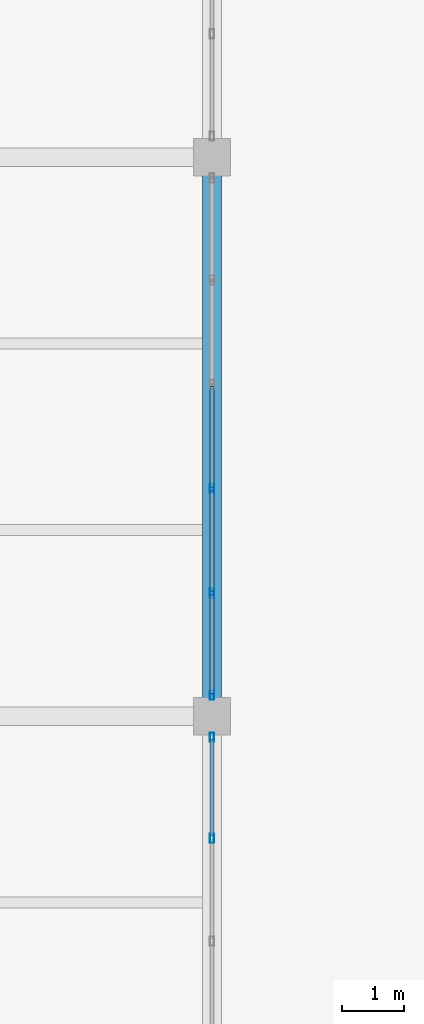
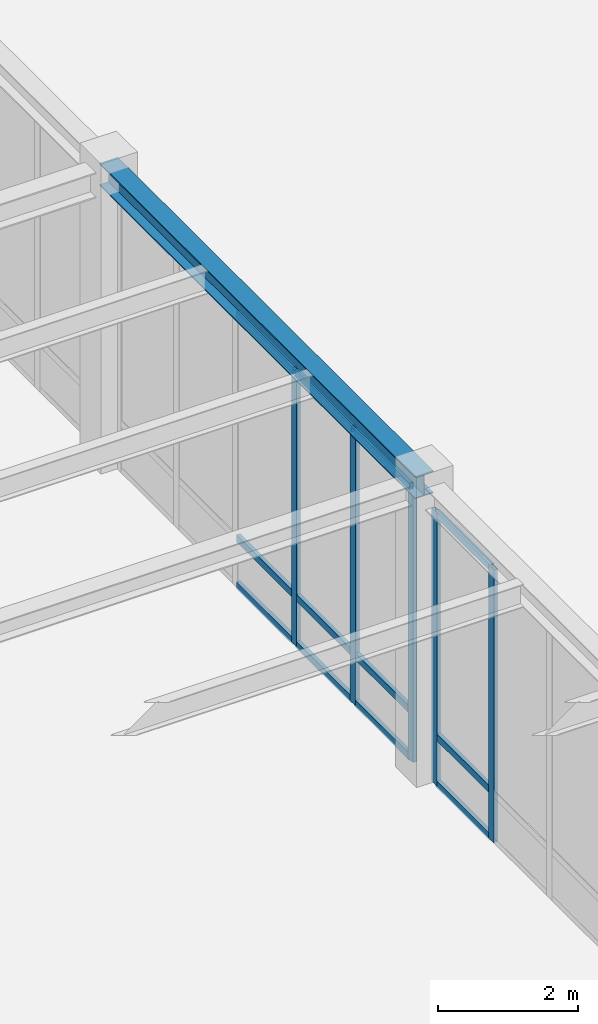
# One storey, part 35 of 77: 17 members, 1 beam, 2 elements without a shape of their own.
"""IFC4 building model written with IfcOpenShell, lengths in metres."""

import ifcopenshell
import ifcopenshell.guid

model = None  # the IFC model being written
_history = None  # IfcOwnerHistory: only IFC2X3 demands one
_inside = {}  # id of a spatial element -> (the spatial element, [elements in it])
_under = {}  # id of a project, library or spatial element -> (it, [spatial elements below it])
_declared = {}  # id of a project -> (the project, [libraries it declares])
_typed = {}  # id of a type object -> (the type object, [elements of that type])
_made_of = {}  # id of a material, layer set ... -> (it, [elements and type objects made of it])


def new_model(schema):
    """Start an empty IFC model of exactly this schema.

    Asked for "IFC4X3", IfcOpenShell would pick the latest addendum, in which some entities
    have other attributes; the version numbers below select the first issue.
    IFC2X3 requires an IfcOwnerHistory on every rooted entity: one is made here for all.
    """
    global model, _history
    if schema == "IFC4X3":
        model = ifcopenshell.file(schema_version=(4, 3, 0, 0))
    else:
        model = ifcopenshell.file(schema=schema)
    _inside.clear()
    _under.clear()
    _declared.clear()
    _typed.clear()
    _made_of.clear()
    _history = None
    if model.schema == "IFC2X3":
        org = make("IfcOrganization", Name="unknown")
        user = make(
            "IfcPersonAndOrganization",
            ThePerson=make("IfcPerson", FamilyName="unknown"),
            TheOrganization=org,
        )
        app = make(
            "IfcApplication",
            ApplicationDeveloper=org,
            Version="unknown",
            ApplicationFullName="unknown",
            ApplicationIdentifier="unknown",
        )
        _history = make(
            "IfcOwnerHistory",
            OwningUser=user,
            OwningApplication=app,
            ChangeAction="ADDED",
            CreationDate=0,
        )
    return model


def make(cls, **values):
    """One entity of the class cls with the attributes given. An attribute that is None is left unset."""
    return model.create_entity(
        cls, **{name: value for name, value in values.items() if value is not None}
    )


def rooted(cls, **values):
    """An entity with a GlobalId (a new one), such as an element, a storey or a relation."""
    return make(cls, GlobalId=ifcopenshell.guid.new(), OwnerHistory=_history, **values)


def si_unit(unit_type, name, prefix=None):
    """IfcSIUnit, for example si_unit("LENGTHUNIT", "METRE", prefix="MILLI")."""
    return make("IfcSIUnit", UnitType=unit_type, Prefix=prefix, Name=name)


def assignment(units):
    """IfcUnitAssignment: the units of a project."""
    return None if units is None else make("IfcUnitAssignment", Units=units)


def point(xyz):
    """IfcCartesianPoint."""
    return None if xyz is None else make("IfcCartesianPoint", Coordinates=xyz)


def direction(xyz):
    """IfcDirection."""
    return None if xyz is None else make("IfcDirection", DirectionRatios=xyz)


def frame(location, z_axis=None, x_axis=None):
    """IfcAxis2Placement3D, a coordinate frame: its origin and axes. An axis left out is left unset."""
    return make(
        "IfcAxis2Placement3D",
        Location=point(location),
        Axis=direction(z_axis),
        RefDirection=direction(x_axis),
    )


def frame_2d(location, x_axis=None):
    """IfcAxis2Placement2D, a coordinate frame in the plane: its origin and x axis."""
    return make(
        "IfcAxis2Placement2D", Location=point(location), RefDirection=direction(x_axis)
    )


def origin():
    """The frame at (0, 0, 0) with its axes left unset."""
    return frame((0.0, 0.0, 0.0))


def origin_2d():
    """The frame at (0, 0) in the plane with its x axis left unset."""
    return frame_2d((0.0, 0.0))


def place(relative_to, where):
    """IfcLocalPlacement: puts the frame where relative to a parent placement (None: the world)."""
    return make(
        "IfcLocalPlacement", PlacementRelTo=relative_to, RelativePlacement=where
    )


def context(
    kind, dimensions, precision=None, world=None, true_north=None, identifier=None
):
    """IfcGeometricRepresentationContext, for example the 3D "Model" context."""
    return make(
        "IfcGeometricRepresentationContext",
        ContextIdentifier=identifier,
        ContextType=kind,
        CoordinateSpaceDimension=dimensions,
        Precision=precision,
        WorldCoordinateSystem=world,
        TrueNorth=true_north,
    )


def subcontext(parent, identifier, kind, view, scale=None):
    """IfcGeometricRepresentationSubContext, for example "Body" below "Model"."""
    return make(
        "IfcGeometricRepresentationSubContext",
        ContextIdentifier=identifier,
        ContextType=kind,
        ParentContext=parent,
        TargetScale=scale,
        TargetView=view,
    )


def project(units=None, contexts=None):
    """IfcProject with its units and contexts."""
    return rooted(
        "IfcProject",
        Name="project",
        RepresentationContexts=contexts,
        UnitsInContext=assignment(units),
    )


def spatial(cls, under=None, at=None, **own):
    """A site, building, storey or space (cls), placed at a placement, below another one or the project."""
    s = rooted(cls, ObjectPlacement=at, **own)
    if under is not None:
        _under.setdefault(under.id(), (under, []))[1].append(s)
    return s


def profile(cls, at=None, kind="AREA", **sizes):
    """A parametric profile (cls). Its sizes go by their IFC names, for example OverallWidth=200.0."""
    return make(cls, ProfileType=kind, Position=at, **sizes)


def hollow_rectangle(**sizes):
    """IfcRectangleHollowProfileDef."""
    return profile("IfcRectangleHollowProfileDef", **sizes)


def i_section(**sizes):
    """IfcIShapeProfileDef."""
    return profile("IfcIShapeProfileDef", **sizes)


def extrude(swept, where, along, depth):
    """IfcExtrudedAreaSolid: the profile swept, set in the frame where, extruded along a direction by depth."""
    return make(
        "IfcExtrudedAreaSolid",
        SweptArea=swept,
        Position=where,
        ExtrudedDirection=direction(along),
        Depth=depth,
    )


def shape(context_of_items, identifier, shape_type, items):
    """IfcShapeRepresentation: the items that make up one representation, for example the "Body"."""
    return make(
        "IfcShapeRepresentation",
        ContextOfItems=context_of_items,
        RepresentationIdentifier=identifier,
        RepresentationType=shape_type,
        Items=items,
    )


def material(Name=None, Category=None):
    """IfcMaterial."""
    return make("IfcMaterial", Name=Name, Category=Category)


def material_profile(
    of_material, cross_section, Name=None, Category=None, Priority=None
):
    """IfcMaterialProfile: a cross section and its material."""
    return make(
        "IfcMaterialProfile",
        Name=Name,
        Material=of_material,
        Profile=cross_section,
        Priority=Priority,
        Category=Category,
    )


def profile_set(profiles, Name=None, composite=None):
    """IfcMaterialProfileSet."""
    return make(
        "IfcMaterialProfileSet",
        Name=Name,
        MaterialProfiles=profiles,
        CompositeProfile=composite,
    )


def made_of(thing, what):
    """Note that an element or type object is made of a material, layer set ...; save() writes the relation."""
    if what is not None:
        _made_of.setdefault(what.id(), (what, []))[1].append(thing)
    return thing


def type_object(cls, material=None, **own):
    """A type object (cls), such as IfcWallType, which elements share."""
    return made_of(rooted(cls, **own), material)


def element(
    cls,
    number,
    at=None,
    inside=None,
    cuts=None,
    type_object=None,
    material=None,
    context=None,
    identifier="Body",
    shape_type=None,
    held_by="IfcProductDefinitionShape",
    body=None,
    shapes=None,
    **own,
):
    """One element of the class cls, such as IfcWall. Its Tag is "e" and its number.

    at: its placement. inside: the storey or other place that contains it. cuts: it is an
    opening in that element (IfcRelVoidsElement). A single representation is given by context,
    identifier, shape_type and body (its items); several are given by shapes. held_by: the class
    of the entity that holds the representations. save() writes the other relations.
    """
    e = rooted(cls, Tag="e%d" % number, ObjectPlacement=at, **own)
    if body is not None:
        shapes = [shape(context, identifier, shape_type, body)]
    if shapes is not None:
        e.Representation = make(held_by, Representations=shapes)
    if inside is not None:
        _inside.setdefault(inside.id(), (inside, []))[1].append(e)
    if cuts is not None:
        rooted(
            "IfcRelVoidsElement", RelatingBuildingElement=cuts, RelatedOpeningElement=e
        )
    if type_object is not None:
        _typed.setdefault(type_object.id(), (type_object, []))[1].append(e)
    return made_of(e, material)


def aggregate(whole, parts):
    """IfcRelAggregates: a whole, such as a stair, and the parts it consists of."""
    return rooted("IfcRelAggregates", RelatingObject=whole, RelatedObjects=parts)


def save(model, path):
    """Write the relations noted so far, then the file.

    IfcRelAggregates (storeys below a building ...), IfcRelContainedInSpatialStructure (elements
    in a storey), IfcRelDefinesByType, IfcRelAssociatesMaterial and IfcRelDeclares: one each for
    every whole, place, type object, material and project.
    """
    for whole, parts in _under.values():
        aggregate(whole, parts)
    for where, things in _inside.values():
        rooted(
            "IfcRelContainedInSpatialStructure",
            RelatedElements=things,
            RelatingStructure=where,
        )
    for kind, things in _typed.values():
        rooted("IfcRelDefinesByType", RelatedObjects=things, RelatingType=kind)
    for what, things in _made_of.values():
        rooted("IfcRelAssociatesMaterial", RelatedObjects=things, RelatingMaterial=what)
    for by, libraries in _declared.values():
        rooted("IfcRelDeclares", RelatingContext=by, RelatedDefinitions=libraries)
    model.write(path)


model = new_model("IFC4")

# Units and contexts
model_context = context("Model", 3, precision=1e-05, world=origin(), true_north=direction((0.0, 1.0)))
body_context = subcontext(model_context, "Body", "Model", "MODEL_VIEW")
ifc_project = project(units=[si_unit("LENGTHUNIT", "METRE"), si_unit("AREAUNIT", "SQUARE_METRE"), si_unit("VOLUMEUNIT", "CUBIC_METRE"), si_unit("PLANEANGLEUNIT", "RADIAN"), si_unit("MASSUNIT", "GRAM", prefix="KILO")], contexts=[model_context])

# Site, building, storey
site_placement = place(None, origin())
site = spatial("IfcSite", under=ifc_project, at=site_placement, CompositionType="ELEMENT")
building_placement = place(site_placement, origin())
building = spatial("IfcBuilding", under=site, at=building_placement, Name="Lykobir Media Centre", CompositionType="ELEMENT")
storey_placement = place(building_placement, origin())
storey = spatial("IfcBuildingStorey", under=building, at=storey_placement, Name="L00", CompositionType="ELEMENT", Elevation=0.0)

# Beam
ifc_material_1 = material(Name="Steel S355", Category="steel")
ifc_material_profile_1 = material_profile(ifc_material_1, i_section(OverallWidth=0.300048828125, OverallDepth=0.389892578125, WebThickness=0.010986328125, FlangeThickness=0.01904296875, at=origin_2d()), Name="HEA 400")
ifc_profile_set_1 = profile_set([ifc_material_profile_1], Name="Steel S355")
beam_type = type_object("IfcBeamType", Name="BM-HEA400", PredefinedType="BEAM", material=ifc_profile_set_1)
beam_placement = place(storey_placement, frame((108.0, 27.0, 4.985107421875), z_axis=(0.0, 1.0, 0.0), x_axis=(-1.0, 0.0, 0.0)))
element("IfcBeam", 1, at=beam_placement, inside=storey, type_object=beam_type, Name="Beam BM-L00-1080-0270-1080-0360-499", PredefinedType="BEAM", context=body_context, shape_type="SweptSolid", body=[
    extrude(i_section(OverallWidth=0.300048828125, OverallDepth=0.389892578125, WebThickness=0.010986328125, FlangeThickness=0.01904296875, at=origin_2d()), origin(), (0.0, 0.0, 1.0), 9.0),
])

# Curtain wall, members
ifc_material_2 = material(Name="Anodized Aluminium AW-6060", Category="aluminium")
curtain_wall_type = type_object("IfcCurtainWallType", Name="CW-COURT-A", PredefinedType="NOTDEFINED", material=ifc_material_2)
curtain_wall_1_placement = place(storey_placement, origin())
curtain_wall_1 = element("IfcCurtainWall", 2, at=curtain_wall_1_placement, inside=storey, type_object=curtain_wall_type, Name="Curtain wall CW2-L00-0003", PredefinedType="NOTDEFINED")
ifc_material_profile_2 = material_profile(ifc_material_2, hollow_rectangle(XDim=0.06494140625, YDim=0.14990234375, WallThickness=0.00341796875, at=origin_2d()), Name="ALU MULLION 65x150")
ifc_profile_set_2 = profile_set([ifc_material_profile_2], Name="Anodized Aluminium AW-6060")
member_type_1 = type_object("IfcMemberType", Name="CWM-150", PredefinedType="MULLION", material=ifc_profile_set_2)
member_1_placement = place(storey_placement, frame((108.0, 26.66259765625, 0.0), z_axis=(0.0, 0.0, 1.0), x_axis=(1.0, 0.0, 0.0)))
member_1 = element("IfcMember", 3, at=member_1_placement, type_object=member_type_1, Name="CW2-L00-0003 mullion 1", PredefinedType="MULLION", context=body_context, shape_type="SweptSolid", body=[
    extrude(hollow_rectangle(XDim=0.06494140625, YDim=0.14990234375, WallThickness=0.00341796875, at=origin_2d()), origin(), (0.0, 0.0, 1.0), 4.7529296875),
])
member_2_placement = place(storey_placement, frame((108.0, 25.037109375, 0.0), z_axis=(0.0, 0.0, 1.0), x_axis=(1.0, 0.0, 0.0)))
member_2 = element("IfcMember", 4, at=member_2_placement, type_object=member_type_1, Name="CW2-L00-0003 mullion 2", PredefinedType="MULLION", context=body_context, shape_type="SweptSolid", body=[
    extrude(hollow_rectangle(XDim=0.06494140625, YDim=0.14990234375, WallThickness=0.00341796875, at=origin_2d()), origin(), (0.0, 0.0, 1.0), 4.7529296875),
])

curtain_wall_2_placement = place(storey_placement, origin())
curtain_wall_2 = element("IfcCurtainWall", 5, at=curtain_wall_2_placement, inside=storey, type_object=curtain_wall_type, Name="Curtain wall CW2-L00-0004", PredefinedType="NOTDEFINED")
member_3_placement = place(storey_placement, frame((108.0, 30.660888671875, 0.0), z_axis=(0.0, 0.0, 1.0), x_axis=(1.0, 0.0, 0.0)))
member_3 = element("IfcMember", 6, at=member_3_placement, type_object=member_type_1, Name="CW2-L00-0004 mullion 4", PredefinedType="MULLION", context=body_context, shape_type="SweptSolid", body=[
    extrude(hollow_rectangle(XDim=0.06494140625, YDim=0.14990234375, WallThickness=0.00341796875, at=origin_2d()), origin(), (0.0, 0.0, 1.0), 4.77490234375),
])
member_4_placement = place(storey_placement, frame((108.0, 28.98291015625, 0.0), z_axis=(0.0, 0.0, 1.0), x_axis=(1.0, 0.0, 0.0)))
member_4 = element("IfcMember", 7, at=member_4_placement, type_object=member_type_1, Name="CW2-L00-0004 mullion 5", PredefinedType="MULLION", context=body_context, shape_type="SweptSolid", body=[
    extrude(hollow_rectangle(XDim=0.06494140625, YDim=0.14990234375, WallThickness=0.00341796875, at=origin_2d()), origin(), (0.0, 0.0, 1.0), 4.77490234375),
])
member_5_placement = place(storey_placement, frame((108.0, 27.33740234375, 0.0), z_axis=(0.0, 0.0, 1.0), x_axis=(1.0, 0.0, 0.0)))
member_5 = element("IfcMember", 8, at=member_5_placement, type_object=member_type_1, Name="CW2-L00-0004 mullion 6", PredefinedType="MULLION", context=body_context, shape_type="SweptSolid", body=[
    extrude(hollow_rectangle(XDim=0.06494140625, YDim=0.14990234375, WallThickness=0.00341796875, at=origin_2d()), origin(), (0.0, 0.0, 1.0), 4.77490234375),
])

# Member
ifc_material_profile_3 = material_profile(ifc_material_2, hollow_rectangle(XDim=0.06494140625, YDim=0.1201171875, WallThickness=0.0029296875, at=origin_2d()), Name="ALU TRANSOM 65x120")
ifc_profile_set_3 = profile_set([ifc_material_profile_3], Name="Anodized Aluminium AW-6060")
member_type_2 = type_object("IfcMemberType", Name="CWT-120", PredefinedType="USERDEFINED", material=ifc_profile_set_3)
member_6_placement = place(storey_placement, frame((108.0, 26.6298828125, 0.032470703125), z_axis=(0.0, -1.0, 0.0), x_axis=(1.0, 0.0, 0.0)))
member_6 = element("IfcMember", 9, at=member_6_placement, type_object=member_type_2, Name="CW2-L00-0003 transom 1.1", ObjectType="TRANSOM", PredefinedType="USERDEFINED", context=body_context, shape_type="SweptSolid", body=[
    extrude(hollow_rectangle(XDim=0.06494140625, YDim=0.1201171875, WallThickness=0.0029296875, at=origin_2d()), origin(), (0.0, 0.0, 1.0), 1.560302734375),
])

member_7_placement = place(storey_placement, frame((108.0, 26.6298828125, 0.85009765625), z_axis=(0.0, -1.0, 0.0), x_axis=(1.0, 0.0, 0.0)))
member_7 = element("IfcMember", 10, at=member_7_placement, type_object=member_type_2, Name="CW2-L00-0003 transom 1.2", ObjectType="TRANSOM", PredefinedType="USERDEFINED", context=body_context, shape_type="SweptSolid", body=[
    extrude(hollow_rectangle(XDim=0.06494140625, YDim=0.1201171875, WallThickness=0.0029296875, at=origin_2d()), origin(), (0.0, 0.0, 1.0), 1.560302734375),
])

member_8_placement = place(storey_placement, frame((108.0, 26.6298828125, 4.720458984375), z_axis=(0.0, -1.0, 0.0), x_axis=(1.0, 0.0, 0.0)))
member_8 = element("IfcMember", 11, at=member_8_placement, type_object=member_type_2, Name="CW2-L00-0003 transom 1.3", ObjectType="TRANSOM", PredefinedType="USERDEFINED", context=body_context, shape_type="SweptSolid", body=[
    extrude(hollow_rectangle(XDim=0.06494140625, YDim=0.1201171875, WallThickness=0.0029296875, at=origin_2d()), origin(), (0.0, 0.0, 1.0), 1.560302734375),
])

aggregate(curtain_wall_1, [member_1, member_2, member_6, member_7, member_8])

member_9_placement = place(storey_placement, frame((108.0, 32.306396484375, 0.032470703125), z_axis=(0.0, -1.0, 0.0), x_axis=(1.0, 0.0, 0.0)))
member_9 = element("IfcMember", 12, at=member_9_placement, type_object=member_type_2, Name="CW2-L00-0004 transom 3.1", ObjectType="TRANSOM", PredefinedType="USERDEFINED", context=body_context, shape_type="SweptSolid", body=[
    extrude(hollow_rectangle(XDim=0.06494140625, YDim=0.1201171875, WallThickness=0.0029296875, at=origin_2d()), origin(), (0.0, 0.0, 1.0), 1.61279296875),
])

member_10_placement = place(storey_placement, frame((108.0, 32.306396484375, 0.85009765625), z_axis=(0.0, -1.0, 0.0), x_axis=(1.0, 0.0, 0.0)))
member_10 = element("IfcMember", 13, at=member_10_placement, type_object=member_type_2, Name="CW2-L00-0004 transom 3.2", ObjectType="TRANSOM", PredefinedType="USERDEFINED", context=body_context, shape_type="SweptSolid", body=[
    extrude(hollow_rectangle(XDim=0.06494140625, YDim=0.1201171875, WallThickness=0.0029296875, at=origin_2d()), origin(), (0.0, 0.0, 1.0), 1.61279296875),
])

member_11_placement = place(storey_placement, frame((108.0, 32.306396484375, 4.742431640625), z_axis=(0.0, -1.0, 0.0), x_axis=(1.0, 0.0, 0.0)))
member_11 = element("IfcMember", 14, at=member_11_placement, type_object=member_type_2, Name="CW2-L00-0004 transom 3.3", ObjectType="TRANSOM", PredefinedType="USERDEFINED", context=body_context, shape_type="SweptSolid", body=[
    extrude(hollow_rectangle(XDim=0.06494140625, YDim=0.1201171875, WallThickness=0.0029296875, at=origin_2d()), origin(), (0.0, 0.0, 1.0), 1.61279296875),
])

member_12_placement = place(storey_placement, frame((108.0, 30.62841796875, 0.032470703125), z_axis=(0.0, -1.0, 0.0), x_axis=(1.0, 0.0, 0.0)))
member_12 = element("IfcMember", 15, at=member_12_placement, type_object=member_type_2, Name="CW2-L00-0004 transom 4.1", ObjectType="TRANSOM", PredefinedType="USERDEFINED", context=body_context, shape_type="SweptSolid", body=[
    extrude(hollow_rectangle(XDim=0.06494140625, YDim=0.1201171875, WallThickness=0.0029296875, at=origin_2d()), origin(), (0.0, 0.0, 1.0), 1.613037109375),
])

member_13_placement = place(storey_placement, frame((108.0, 30.62841796875, 0.85009765625), z_axis=(0.0, -1.0, 0.0), x_axis=(1.0, 0.0, 0.0)))
member_13 = element("IfcMember", 16, at=member_13_placement, type_object=member_type_2, Name="CW2-L00-0004 transom 4.2", ObjectType="TRANSOM", PredefinedType="USERDEFINED", context=body_context, shape_type="SweptSolid", body=[
    extrude(hollow_rectangle(XDim=0.06494140625, YDim=0.1201171875, WallThickness=0.0029296875, at=origin_2d()), origin(), (0.0, 0.0, 1.0), 1.613037109375),
])

member_14_placement = place(storey_placement, frame((108.0, 30.62841796875, 4.742431640625), z_axis=(0.0, -1.0, 0.0), x_axis=(1.0, 0.0, 0.0)))
member_14 = element("IfcMember", 17, at=member_14_placement, type_object=member_type_2, Name="CW2-L00-0004 transom 4.3", ObjectType="TRANSOM", PredefinedType="USERDEFINED", context=body_context, shape_type="SweptSolid", body=[
    extrude(hollow_rectangle(XDim=0.06494140625, YDim=0.1201171875, WallThickness=0.0029296875, at=origin_2d()), origin(), (0.0, 0.0, 1.0), 1.613037109375),
])

member_15_placement = place(storey_placement, frame((108.0, 28.950439453125, 0.032470703125), z_axis=(0.0, -1.0, 0.0), x_axis=(1.0, 0.0, 0.0)))
member_15 = element("IfcMember", 18, at=member_15_placement, type_object=member_type_2, Name="CW2-L00-0004 transom 5.1", ObjectType="TRANSOM", PredefinedType="USERDEFINED", context=body_context, shape_type="SweptSolid", body=[
    extrude(hollow_rectangle(XDim=0.06494140625, YDim=0.1201171875, WallThickness=0.0029296875, at=origin_2d()), origin(), (0.0, 0.0, 1.0), 1.580322265625),
])

member_16_placement = place(storey_placement, frame((108.0, 28.950439453125, 0.85009765625), z_axis=(0.0, -1.0, 0.0), x_axis=(1.0, 0.0, 0.0)))
member_16 = element("IfcMember", 19, at=member_16_placement, type_object=member_type_2, Name="CW2-L00-0004 transom 5.2", ObjectType="TRANSOM", PredefinedType="USERDEFINED", context=body_context, shape_type="SweptSolid", body=[
    extrude(hollow_rectangle(XDim=0.06494140625, YDim=0.1201171875, WallThickness=0.0029296875, at=origin_2d()), origin(), (0.0, 0.0, 1.0), 1.580322265625),
])

member_17_placement = place(storey_placement, frame((108.0, 28.950439453125, 4.742431640625), z_axis=(0.0, -1.0, 0.0), x_axis=(1.0, 0.0, 0.0)))
member_17 = element("IfcMember", 20, at=member_17_placement, type_object=member_type_2, Name="CW2-L00-0004 transom 5.3", ObjectType="TRANSOM", PredefinedType="USERDEFINED", context=body_context, shape_type="SweptSolid", body=[
    extrude(hollow_rectangle(XDim=0.06494140625, YDim=0.1201171875, WallThickness=0.0029296875, at=origin_2d()), origin(), (0.0, 0.0, 1.0), 1.580322265625),
])

aggregate(curtain_wall_2, [member_3, member_4, member_5, member_9, member_10, member_11, member_12, member_13, member_14, member_15, member_16, member_17])

save(model, "model.ifc")
